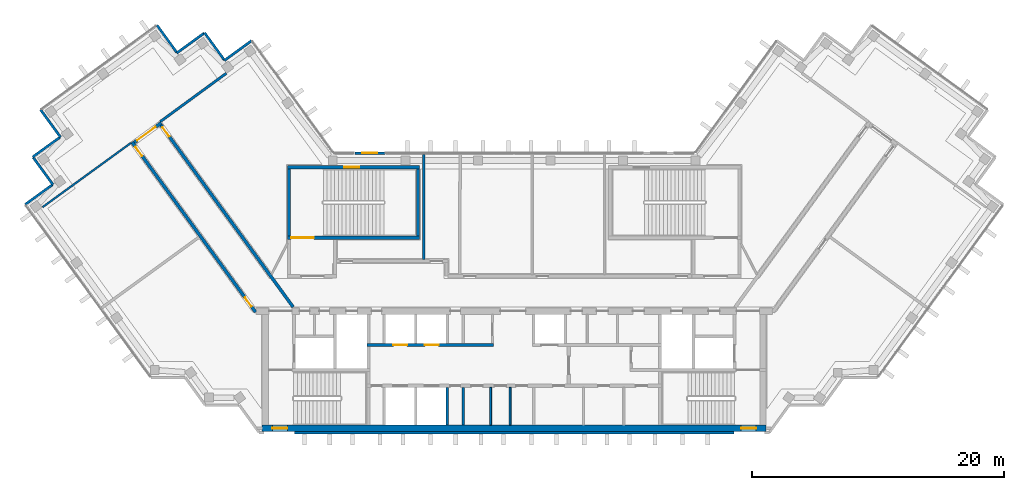
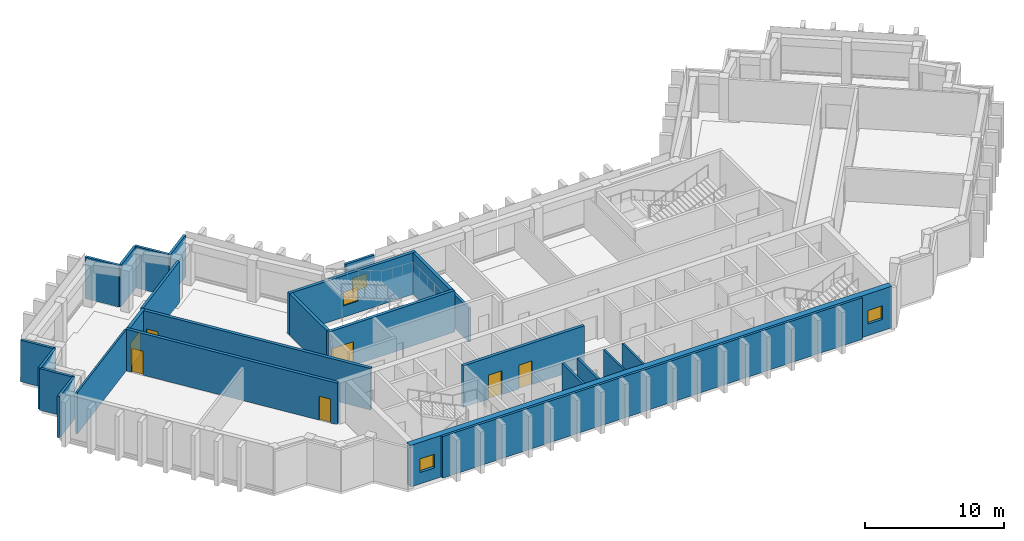
# One storey, part 4 of 9: 26 walls, 7 doors, 4 windows, 11 openings.
"""IFC4 building model written with IfcOpenShell, lengths in metres."""

from ifc_helpers import new_model, si_unit, direction, frame, frame_2d, origin, place, context, subcontext, project, spatial, rectangle, extrude, material, layer, layer_set, type_object, element, fill, save


model = new_model("IFC4")

# Units and contexts
model_context = context("Model", 3, precision=1e-05, world=origin(), true_north=direction((0.0, 1.0)))
body_context = subcontext(model_context, "Body", "Model", "MODEL_VIEW")
ifc_project = project(units=[si_unit("LENGTHUNIT", "METRE"), si_unit("AREAUNIT", "SQUARE_METRE"), si_unit("VOLUMEUNIT", "CUBIC_METRE"), si_unit("PLANEANGLEUNIT", "RADIAN"), si_unit("MASSUNIT", "GRAM", prefix="KILO")], contexts=[model_context])

# Site, building, storey
site_placement = place(None, origin())
site = spatial("IfcSite", under=ifc_project, at=site_placement, CompositionType="ELEMENT")
building_placement = place(site_placement, origin())
building = spatial("IfcBuilding", under=site, at=building_placement, Name="Quipu Civic Tower", CompositionType="ELEMENT")
storey_placement = place(building_placement, frame((0.0, 0.0, 331.0)))
storey = spatial("IfcBuildingStorey", under=building, at=storey_placement, Name="L77", CompositionType="ELEMENT", Elevation=331.0)

# Walls
ifc_material_1 = material(Name="Double gypsum plasterboard with mineral wool")
ifc_layer_1 = layer(ifc_material_1, 0.14990234375)
ifc_layer_set_1 = layer_set([ifc_layer_1], Name="Double gypsum plasterboard with mineral wool")
wall_type_1 = type_object("IfcWallType", Name="Acoustic partition 150 plasterboard", PredefinedType="PARTITIONING", material=ifc_layer_set_1)
wall_1_placement = place(storey_placement, frame((-37.42919921875, 6.805419921875, 0.0), z_axis=(0.0, 0.0, 1.0), x_axis=(0.809020922653, 0.587779845444, 0.0)))
element("IfcWall", 1, at=wall_1_placement, inside=storey, type_object=wall_type_1, Name="Partition P04", PredefinedType="PARTITIONING", context=body_context, shape_type="SweptSolid", body=[
    extrude(rectangle(XDim=8.670166015625, YDim=0.14990234375, at=frame_2d((4.3349609375, 0.0))), origin(), (0.0, 0.0, 1.0), 3.64990234375),
])
ifc_material_2 = material(Name="Fired clay blockwork", Category="masonry")
ifc_layer_2 = layer(ifc_material_2, 0.199951171875)
ifc_layer_set_2 = layer_set([ifc_layer_2], Name="Fired clay blockwork")
wall_type_2 = type_object("IfcWallType", Name="Blockwork wall 200", PredefinedType="SOLIDWALL", material=ifc_layer_set_2)
wall_2_placement = place(storey_placement, frame((-28.101318359375, 13.58251953125, 0.0), z_axis=(0.0, 0.0, 1.0), x_axis=(0.80699548015, 0.590557613631, 0.0)))
element("IfcWall", 2, at=wall_2_placement, inside=storey, type_object=wall_type_2, Name="Partition P03", PredefinedType="SOLIDWALL", context=body_context, shape_type="SweptSolid", body=[
    extrude(rectangle(XDim=6.515380859375, YDim=0.199951171875, at=frame_2d((3.2578125, 0.0))), origin(), (0.0, 0.0, 1.0), 3.64990234375),
])
wall_3_placement = place(storey_placement, frame((-7.177978515625, 11.0, 0.0), z_axis=(0.0, 0.0, 1.0), x_axis=(0.0, -1.0, 0.0)))
element("IfcWall", 3, at=wall_3_placement, inside=storey, type_object=wall_type_2, Name="Partition P08", PredefinedType="SOLIDWALL", context=body_context, shape_type="SweptSolid", body=[
    extrude(rectangle(XDim=8.35009765625, YDim=0.199951171875, at=frame_2d((4.175048828125, 0.0))), origin(), (0.0, 0.0, 1.0), 2.949951171875),
])

# Wall, openings, doors
ifc_material_3 = material(Name="Concrete C70/85", Category="concrete")
ifc_layer_3 = layer(ifc_material_3, 0.25)
ifc_layer_set_3 = layer_set([ifc_layer_3], Name="Concrete C70/85")
wall_type_3 = type_object("IfcWallType", Name="Core wall 250", PredefinedType="SHEAR", material=ifc_layer_set_3)
wall_4_placement = place(storey_placement, frame((-11.699951171875, -4.125, 0.0), z_axis=(0.0, 0.0, 1.0), x_axis=(1.0, 0.0, 0.0)))
wall_4 = element("IfcWall", 4, at=wall_4_placement, inside=storey, type_object=wall_type_3, Name="Core wall", PredefinedType="SHEAR", context=body_context, shape_type="SweptSolid", body=[
    extrude(rectangle(XDim=10.050048828125, YDim=0.25, at=frame_2d((5.02490234375, 0.0))), origin(), (0.0, 0.0, 1.0), 3.64990234375),
])
opening_1_placement = place(wall_4_placement, frame((2.10009765625, 0.0, 0.0)))
opening_1 = element("IfcOpeningElement", 5, at=opening_1_placement, cuts=wall_4, Name="Opening LD-HL3", PredefinedType="OPENING", context=body_context, shape_type="SweptSolid", body=[
    extrude(rectangle(XDim=1.10009765625, YDim=2.10009765625, at=frame_2d((0.550048828125, 1.050048828125))), frame((0.0, 0.135009765625, 0.0), z_axis=(0.0, -1.0, 0.0), x_axis=(1.0, 0.0, 0.0)), (0.0, 0.0, 1.0), 0.27001953125),
])
opening_2_placement = place(wall_4_placement, frame((4.60009765625, 0.0, 0.0)))
opening_2 = element("IfcOpeningElement", 6, at=opening_2_placement, cuts=wall_4, Name="Opening LD-HL4", PredefinedType="OPENING", context=body_context, shape_type="SweptSolid", body=[
    extrude(rectangle(XDim=1.10009765625, YDim=2.10009765625, at=frame_2d((0.550048828125, 1.050048828125))), frame((0.0, 0.135009765625, 0.0), z_axis=(0.0, -1.0, 0.0), x_axis=(1.0, 0.0, 0.0)), (0.0, 0.0, 1.0), 0.27001953125),
])
ifc_material_4 = material(Name="Stainless steel", Category="steel")
door_type_1 = type_object("IfcDoorType", Name="Lift landing door 1100 x 2100", OperationType="DOUBLE_DOOR_SLIDING", PredefinedType="DOOR", material=ifc_material_4)
door_1_placement = place(opening_1_placement, origin())
door_1 = element("IfcDoor", 7, at=door_1_placement, inside=storey, type_object=door_type_1, Name="Landing door HL3", OperationType="DOUBLE_DOOR_SLIDING", OverallHeight=2.10009765625, OverallWidth=1.10009765625, PredefinedType="DOOR", context=body_context, shape_type="SweptSolid", body=[
    extrude(rectangle(XDim=1.10009765625, YDim=2.10009765625, at=frame_2d((0.550048828125, 1.050048828125))), frame((0.0, 0.02490234375, 0.0), z_axis=(0.0, -1.0, 0.0), x_axis=(1.0, 0.0, 0.0)), (0.0, 0.0, 1.0), 0.050048828125),
])
fill(opening_1, door_1)
door_2_placement = place(opening_2_placement, origin())
door_2 = element("IfcDoor", 8, at=door_2_placement, inside=storey, type_object=door_type_1, Name="Landing door HL4", OperationType="DOUBLE_DOOR_SLIDING", OverallHeight=2.10009765625, OverallWidth=1.10009765625, PredefinedType="DOOR", context=body_context, shape_type="SweptSolid", body=[
    extrude(rectangle(XDim=1.10009765625, YDim=2.10009765625, at=frame_2d((0.550048828125, 1.050048828125))), frame((0.0, 0.02490234375, 0.0), z_axis=(0.0, -1.0, 0.0), x_axis=(1.0, 0.0, 0.0)), (0.0, 0.0, 1.0), 0.050048828125),
])
fill(opening_2, door_2)

# Wall, opening, door
wall_5_placement = place(storey_placement, frame((-18.0, 4.375, 0.0), z_axis=(0.0, 0.0, 1.0), x_axis=(1.0, 0.0, 0.0)))
wall_5 = element("IfcWall", 9, at=wall_5_placement, inside=storey, type_object=wall_type_3, Name="Core wall", PredefinedType="SHEAR", context=body_context, shape_type="SweptSolid", body=[
    extrude(rectangle(XDim=10.5, YDim=0.25, at=frame_2d((5.25, 0.0))), origin(), (0.0, 0.0, 1.0), 3.64990234375),
])
opening_3_placement = place(wall_5_placement, frame((0.300048828125, 0.0, 0.0)))
opening_3 = element("IfcOpeningElement", 10, at=opening_3_placement, cuts=wall_5, Name="Opening CD-28", PredefinedType="OPENING", context=body_context, shape_type="SweptSolid", body=[
    extrude(rectangle(XDim=1.800048828125, YDim=2.10009765625, at=frame_2d((0.89990234375, 1.050048828125))), frame((0.0, 0.135009765625, 0.0), z_axis=(0.0, -1.0, 0.0), x_axis=(1.0, 0.0, 0.0)), (0.0, 0.0, 1.0), 0.27001953125),
])
ifc_material_5 = material(Name="Fire rated steel door", Category="steel")
door_type_2 = type_object("IfcDoorType", Name="Fire door FD90 double 1800 x 2100", OperationType="NOTDEFINED", PredefinedType="DOOR", material=ifc_material_5)
door_3_placement = place(opening_3_placement, origin())
door_3 = element("IfcDoor", 11, at=door_3_placement, inside=storey, type_object=door_type_2, Name="Door", OperationType="DOUBLE_DOOR_SINGLE_SWING", OverallHeight=2.10009765625, OverallWidth=1.800048828125, PredefinedType="DOOR", context=body_context, shape_type="SweptSolid", body=[
    extrude(rectangle(XDim=1.800048828125, YDim=2.10009765625, at=frame_2d((0.89990234375, 1.050048828125))), frame((0.0, 0.02490234375, 0.0), z_axis=(0.0, -1.0, 0.0), x_axis=(1.0, 0.0, 0.0)), (0.0, 0.0, 1.0), 0.050048828125),
])
fill(opening_3, door_3)

# Walls
for number, where, z_axis, x_axis, name in (
    (12, (-17.875, 4.5, 0.0), (0.0, 0.0, 1.0), (0.0, 1.0, 0.0), "Core wall"),
    (13, (-7.625, 4.5, 0.0), (0.0, 0.0, 1.0), (0.0, 1.0, 0.0), "Core wall"),
):
    element("IfcWall", number, at=place(storey_placement, frame(where, z_axis=z_axis, x_axis=x_axis)), inside=storey, type_object=wall_type_3, Name=name, PredefinedType="SHEAR", context=body_context, shape_type="SweptSolid", body=[
        extrude(rectangle(XDim=5.35009765625, YDim=0.25, at=frame_2d((2.675048828125, 0.0))), origin(), (0.0, 0.0, 1.0), 3.64990234375),
    ])

# Wall, opening, window
wall_6_placement = place(storey_placement, frame((-18.0, 9.97509765625, 0.0), z_axis=(0.0, 0.0, 1.0), x_axis=(1.0, 0.0, 0.0)))
wall_6 = element("IfcWall", 14, at=wall_6_placement, inside=storey, type_object=wall_type_3, Name="Core wall", PredefinedType="SHEAR", context=body_context, shape_type="SweptSolid", body=[
    extrude(rectangle(XDim=10.5, YDim=0.25, at=frame_2d((5.25, 0.0))), origin(), (0.0, 0.0, 1.0), 3.64990234375),
])
opening_4_placement = place(wall_6_placement, frame((4.5, 0.0, 1.0)))
opening_4 = element("IfcOpeningElement", 15, at=opening_4_placement, cuts=wall_6, Name="Opening SV-3", PredefinedType="OPENING", context=body_context, shape_type="SweptSolid", body=[
    extrude(rectangle(XDim=1.199951171875, YDim=1.199951171875, at=frame_2d((0.60009765625, 0.60009765625))), frame((0.0, 0.135009765625, 0.0), z_axis=(0.0, -1.0, 0.0), x_axis=(1.0, 0.0, 0.0)), (0.0, 0.0, 1.0), 0.27001953125),
])
ifc_material_6 = material(Name="Aluminium louvre", Category="aluminium")
window_type_1 = type_object("IfcWindowType", Name="Stair ventilation louvre 1200 x 1200", PartitioningType="SINGLE_PANEL", PredefinedType="WINDOW", material=ifc_material_6)
window_1_placement = place(opening_4_placement, origin())
window_1 = element("IfcWindow", 16, at=window_1_placement, inside=storey, type_object=window_type_1, Name="Stair ventilation opening", OverallHeight=1.199951171875, OverallWidth=1.199951171875, PartitioningType="SINGLE_PANEL", PredefinedType="WINDOW", context=body_context, shape_type="SweptSolid", body=[
    extrude(rectangle(XDim=1.199951171875, YDim=1.199951171875, at=frame_2d((0.60009765625, 0.60009765625))), frame((0.0, 0.030029296875, 0.0), z_axis=(0.0, -1.0, 0.0), x_axis=(1.0, 0.0, 0.0)), (0.0, 0.0, 1.0), 0.06005859375),
])
fill(opening_4, window_1)

# Wall, openings, windows
ifc_material_7 = material(Name="Concrete C70/85", Category="concrete")
ifc_layer_4 = layer(ifc_material_7, 0.5)
ifc_layer_set_4 = layer_set([ifc_layer_4], Name="Concrete C70/85")
wall_type_4 = type_object("IfcWallType", Name="Core wall 500", PredefinedType="SHEAR", material=ifc_layer_set_4)
wall_7_placement = place(storey_placement, frame((-20.0, -10.75, 0.0), z_axis=(0.0, 0.0, 1.0), x_axis=(1.0, 0.0, 0.0)))
wall_7 = element("IfcWall", 17, at=wall_7_placement, inside=storey, type_object=wall_type_4, Name="Core wall", PredefinedType="SHEAR", context=body_context, shape_type="SweptSolid", body=[
    extrude(rectangle(XDim=40.0, YDim=0.5, at=frame_2d((20.0, 0.0))), origin(), (0.0, 0.0, 1.0), 3.64990234375),
])
opening_5_placement = place(wall_7_placement, frame((0.800048828125, 0.0, 1.0)))
opening_5 = element("IfcOpeningElement", 18, at=opening_5_placement, cuts=wall_7, Name="Opening SV-1", PredefinedType="OPENING", context=body_context, shape_type="SweptSolid", body=[
    extrude(rectangle(XDim=1.199951171875, YDim=1.199951171875, at=frame_2d((0.60009765625, 0.60009765625))), frame((0.0, 0.260009765625, 0.0), z_axis=(0.0, -1.0, 0.0), x_axis=(1.0, 0.0, 0.0)), (0.0, 0.0, 1.0), 0.52001953125),
])
opening_6_placement = place(wall_7_placement, frame((38.0, 0.0, 1.0)))
opening_6 = element("IfcOpeningElement", 19, at=opening_6_placement, cuts=wall_7, Name="Opening SV-2", PredefinedType="OPENING", context=body_context, shape_type="SweptSolid", body=[
    extrude(rectangle(XDim=1.199951171875, YDim=1.199951171875, at=frame_2d((0.60009765625, 0.60009765625))), frame((0.0, 0.260009765625, 0.0), z_axis=(0.0, -1.0, 0.0), x_axis=(1.0, 0.0, 0.0)), (0.0, 0.0, 1.0), 0.52001953125),
])
window_2_placement = place(opening_5_placement, origin())
window_2 = element("IfcWindow", 20, at=window_2_placement, inside=storey, type_object=window_type_1, Name="Stair ventilation opening", OverallHeight=1.199951171875, OverallWidth=1.199951171875, PartitioningType="SINGLE_PANEL", PredefinedType="WINDOW", context=body_context, shape_type="SweptSolid", body=[
    extrude(rectangle(XDim=1.199951171875, YDim=1.199951171875, at=frame_2d((0.60009765625, 0.60009765625))), frame((0.0, 0.030029296875, 0.0), z_axis=(0.0, -1.0, 0.0), x_axis=(1.0, 0.0, 0.0)), (0.0, 0.0, 1.0), 0.06005859375),
])
fill(opening_5, window_2)
window_3_placement = place(opening_6_placement, origin())
window_3 = element("IfcWindow", 21, at=window_3_placement, inside=storey, type_object=window_type_1, Name="Stair ventilation opening", OverallHeight=1.199951171875, OverallWidth=1.199951171875, PartitioningType="SINGLE_PANEL", PredefinedType="WINDOW", context=body_context, shape_type="SweptSolid", body=[
    extrude(rectangle(XDim=1.199951171875, YDim=1.199951171875, at=frame_2d((0.60009765625, 0.60009765625))), frame((0.0, 0.030029296875, 0.0), z_axis=(0.0, -1.0, 0.0), x_axis=(1.0, 0.0, 0.0)), (0.0, 0.0, 1.0), 0.06005859375),
])
fill(opening_6, window_3)

# Wall, openings, doors
ifc_material_8 = material(Name="Concrete C50/60", Category="concrete")
ifc_layer_5 = layer(ifc_material_8, 0.25)
ifc_layer_set_5 = layer_set([ifc_layer_5], Name="Concrete C50/60")
wall_type_5 = type_object("IfcWallType", Name="Corridor wall 250 concrete", PredefinedType="SOLIDWALL", material=ifc_layer_set_5)
wall_8_placement = place(storey_placement, frame((-20.531005859375, -1.5234375, 0.0), z_axis=(0.0, 0.0, 1.0), x_axis=(-0.587785867777, 0.809016547199, 0.0)))
wall_8 = element("IfcWall", 22, at=wall_8_placement, inside=storey, type_object=wall_type_5, Name="Corridor wall C04", PredefinedType="SOLIDWALL", context=body_context, shape_type="SweptSolid", body=[
    extrude(rectangle(XDim=16.67041015625, YDim=0.25, at=frame_2d((8.335205078125, 0.0))), origin(), (0.0, 0.0, 1.0), 3.64990234375),
])
opening_7_placement = place(wall_8_placement, frame((0.53271484375, 0.0, 0.0)))
opening_7 = element("IfcOpeningElement", 23, at=opening_7_placement, cuts=wall_8, Name="Opening D012", PredefinedType="OPENING", context=body_context, shape_type="SweptSolid", body=[
    extrude(rectangle(XDim=0.89990234375, YDim=2.10009765625, at=frame_2d((0.449951171875, 1.050048828125))), frame((0.0, 0.135009765625, 0.0), z_axis=(0.0, -1.0, 0.0), x_axis=(1.0, 0.0, 0.0)), (0.0, 0.0, 1.0), 0.27001953125),
])
opening_8_placement = place(wall_8_placement, frame((15.2958984375, 0.0, 0.0)))
opening_8 = element("IfcOpeningElement", 24, at=opening_8_placement, cuts=wall_8, Name="Opening D011", PredefinedType="OPENING", context=body_context, shape_type="SweptSolid", body=[
    extrude(rectangle(XDim=0.89990234375, YDim=2.10009765625, at=frame_2d((0.449951171875, 1.050048828125))), frame((0.0, 0.135009765625, 0.0), z_axis=(0.0, -1.0, 0.0), x_axis=(1.0, 0.0, 0.0)), (0.0, 0.0, 1.0), 0.27001953125),
])
ifc_material_9 = material(Name="Fire rated timber door set with metal frame", Category="wood")
door_type_3 = type_object("IfcDoorType", Name="Single door 900 x 2100 FD60", OperationType="NOTDEFINED", PredefinedType="DOOR", material=ifc_material_9)
door_4_placement = place(opening_7_placement, origin())
door_4 = element("IfcDoor", 25, at=door_4_placement, inside=storey, type_object=door_type_3, Name="Door D012", OperationType="SINGLE_SWING_LEFT", OverallHeight=2.10009765625, OverallWidth=0.89990234375, PredefinedType="DOOR", context=body_context, shape_type="SweptSolid", body=[
    extrude(rectangle(XDim=0.89990234375, YDim=2.10009765625, at=frame_2d((0.449951171875, 1.050048828125))), frame((0.0, 0.02490234375, 0.0), z_axis=(0.0, -1.0, 0.0), x_axis=(1.0, 0.0, 0.0)), (0.0, 0.0, 1.0), 0.050048828125),
])
fill(opening_7, door_4)
door_5_placement = place(opening_8_placement, origin())
door_5 = element("IfcDoor", 26, at=door_5_placement, inside=storey, type_object=door_type_3, Name="Door D011", OperationType="SINGLE_SWING_RIGHT", OverallHeight=2.10009765625, OverallWidth=0.89990234375, PredefinedType="DOOR", context=body_context, shape_type="SweptSolid", body=[
    extrude(rectangle(XDim=0.89990234375, YDim=2.10009765625, at=frame_2d((0.449951171875, 1.050048828125))), frame((0.0, 0.02490234375, 0.0), z_axis=(0.0, -1.0, 0.0), x_axis=(1.0, 0.0, 0.0)), (0.0, 0.0, 1.0), 0.050048828125),
])
fill(opening_8, door_5)

# Wall, opening, door
wall_9_placement = place(storey_placement, frame((-30.155029296875, 11.935546875, 0.0), z_axis=(0.0, 0.0, 1.0), x_axis=(0.809038743598, 0.587755315891, 0.0)))
wall_9 = element("IfcWall", 27, at=wall_9_placement, inside=storey, type_object=wall_type_5, Name="Corridor wall C05", PredefinedType="SOLIDWALL", context=body_context, shape_type="SweptSolid", body=[
    extrude(rectangle(XDim=2.650146484375, YDim=0.25, at=frame_2d((1.3251953125, 0.0))), origin(), (0.0, 0.0, 1.0), 3.64990234375),
])
opening_9_placement = place(wall_9_placement, frame((0.2998046875, 0.0, 0.0)))
opening_9 = element("IfcOpeningElement", 28, at=opening_9_placement, cuts=wall_9, Name="Opening D013", PredefinedType="OPENING", context=body_context, shape_type="SweptSolid", body=[
    extrude(rectangle(XDim=1.800048828125, YDim=2.10009765625, at=frame_2d((0.89990234375, 1.050048828125))), frame((0.0, 0.135009765625, 0.0), z_axis=(0.0, -1.0, 0.0), x_axis=(1.0, 0.0, 0.0)), (0.0, 0.0, 1.0), 0.27001953125),
])
ifc_material_10 = material(Name="Fire rated timber door set with metal frame", Category="wood")
door_type_4 = type_object("IfcDoorType", Name="Double door 1800 x 2100 FD60", OperationType="DOUBLE_DOOR_SINGLE_SWING", PredefinedType="DOOR", material=ifc_material_10)
door_6_placement = place(opening_9_placement, origin())
door_6 = element("IfcDoor", 29, at=door_6_placement, inside=storey, type_object=door_type_4, Name="Door D013", OperationType="DOUBLE_DOOR_SINGLE_SWING", OverallHeight=2.10009765625, OverallWidth=1.800048828125, PredefinedType="DOOR", context=body_context, shape_type="SweptSolid", body=[
    extrude(rectangle(XDim=1.800048828125, YDim=2.10009765625, at=frame_2d((0.89990234375, 1.050048828125))), frame((0.0, 0.02490234375, 0.0), z_axis=(0.0, -1.0, 0.0), x_axis=(1.0, 0.0, 0.0)), (0.0, 0.0, 1.0), 0.050048828125),
])
fill(opening_9, door_6)

wall_10_placement = place(storey_placement, frame((-28.038818359375, 13.318603515625, 0.0), z_axis=(0.0, 0.0, 1.0), x_axis=(0.587791911753, -0.809012155952, 0.0)))
wall_10 = element("IfcWall", 30, at=wall_10_placement, inside=storey, type_object=wall_type_5, Name="Corridor wall C06", PredefinedType="SOLIDWALL", context=body_context, shape_type="SweptSolid", body=[
    extrude(rectangle(XDim=17.85302734375, YDim=0.25, at=frame_2d((8.926513671875, 0.0))), origin(), (0.0, 0.0, 1.0), 3.64990234375),
])
opening_10_placement = place(wall_10_placement, frame((0.224853515625, 0.0, 0.0)))
opening_10 = element("IfcOpeningElement", 31, at=opening_10_placement, cuts=wall_10, Name="Opening D010", PredefinedType="OPENING", context=body_context, shape_type="SweptSolid", body=[
    extrude(rectangle(XDim=0.89990234375, YDim=2.10009765625, at=frame_2d((0.449951171875, 1.050048828125))), frame((0.0, 0.135009765625, 0.0), z_axis=(0.0, -1.0, 0.0), x_axis=(1.0, 0.0, 0.0)), (0.0, 0.0, 1.0), 0.27001953125),
])
door_7_placement = place(opening_10_placement, origin())
door_7 = element("IfcDoor", 32, at=door_7_placement, inside=storey, type_object=door_type_3, Name="Door D010", OperationType="SINGLE_SWING_LEFT", OverallHeight=2.10009765625, OverallWidth=0.89990234375, PredefinedType="DOOR", context=body_context, shape_type="SweptSolid", body=[
    extrude(rectangle(XDim=0.89990234375, YDim=2.10009765625, at=frame_2d((0.449951171875, 1.050048828125))), frame((0.0, 0.02490234375, 0.0), z_axis=(0.0, -1.0, 0.0), x_axis=(1.0, 0.0, 0.0)), (0.0, 0.0, 1.0), 0.050048828125),
])
fill(opening_10, door_7)

# Walls
ifc_material_11 = material(Name="Gypsum board partition")
ifc_layer_6 = layer(ifc_material_11, 0.14990234375)
ifc_layer_set_6 = layer_set([ifc_layer_6], Name="Gypsum board partition")
wall_type_6 = type_object("IfcWallType", Name="Partition 150", PredefinedType="PARTITIONING", material=ifc_layer_set_6)
for number, where, z_axis, x_axis, name in (
    (33, (-1.875, -10.5, 0.0), (0.0, 0.0, 1.0), (0.0, 1.0, 0.0), "Partition"),
    (34, (-0.324951171875, -10.5, 0.0), (0.0, 0.0, 1.0), (0.0, 1.0, 0.0), "Partition"),
):
    element("IfcWall", number, at=place(storey_placement, frame(where, z_axis=z_axis, x_axis=x_axis)), inside=storey, type_object=wall_type_6, Name=name, PredefinedType="PARTITIONING", context=body_context, shape_type="SweptSolid", body=[
        extrude(rectangle(XDim=3.0, YDim=0.14990234375, at=frame_2d((1.5, 0.0))), origin(), (0.0, 0.0, 1.0), 3.64990234375),
    ])
ifc_material_12 = material(Name="Precast concrete C40/50", Category="concrete")
wall_type_7 = type_object("IfcWallType", Name="Precast cladding wall", PredefinedType="SOLIDWALL", material=ifc_material_12)
for number, where, z_axis, x_axis, name in (
    (35, (-20.828857421875, 20.025390625, 0.0), (0.0, 0.0, 1.0), (-0.808990163075, -0.587822180636, 0.0), "Precast cladding wall L77 2"),
    (36, (-22.996337890625, 18.465576171875, 0.0), (0.0, 0.0, 1.0), (-0.587762999008, 0.809033161865, 0.0), "Precast cladding wall L77 3"),
):
    element("IfcWall", number, at=place(storey_placement, frame(where, z_axis=z_axis, x_axis=x_axis)), inside=storey, type_object=wall_type_7, Name=name, PredefinedType="SOLIDWALL", context=body_context, shape_type="SweptSolid", body=[
        extrude(rectangle(XDim=2.699951171875, YDim=0.199951171875, at=frame_2d((1.35009765625, 0.0))), origin(), (0.0, 0.0, 1.0), 3.64990234375),
    ])
for number, where, z_axis, x_axis, name in (
    (37, (-24.60009765625, 20.62255859375, 0.0), (0.0, 0.0, 1.0), (-0.809064397168, -0.587720002413, 0.0), "Precast cladding wall L77 4"),
    (38, (-26.767578125, 19.062744140625, 0.0), (0.0, 0.0, 1.0), (-0.587720002413, 0.809064397168, 0.0), "Precast cladding wall L77 5"),
):
    element("IfcWall", number, at=place(storey_placement, frame(where, z_axis=z_axis, x_axis=x_axis)), inside=storey, type_object=wall_type_7, Name=name, PredefinedType="SOLIDWALL", context=body_context, shape_type="SweptSolid", body=[
        extrude(rectangle(XDim=2.7001953125, YDim=0.199951171875, at=frame_2d((1.35009765625, 0.0))), origin(), (0.0, 0.0, 1.0), 3.64990234375),
    ])
for number, where, z_axis, x_axis, name in (
    (39, (-37.591796875, 14.535888671875, 0.0), (0.0, 0.0, 1.0), (0.587762999008, -0.809033161865, 0.0), "Precast cladding wall L77 7"),
    (40, (-36.031982421875, 12.36865234375, 0.0), (0.0, 0.0, 1.0), (-0.809033161865, -0.587762999008, 0.0), "Precast cladding wall L77 8"),
    (41, (-38.189208984375, 10.7646484375, 0.0), (0.0, 0.0, 1.0), (0.587822180636, -0.808990163075, 0.0), "Precast cladding wall L77 9"),
    (42, (-36.62939453125, 8.597412109375, 0.0), (0.0, 0.0, 1.0), (-0.809033161865, -0.587762999008, 0.0), "Precast cladding wall L77 10"),
):
    element("IfcWall", number, at=place(storey_placement, frame(where, z_axis=z_axis, x_axis=x_axis)), inside=storey, type_object=wall_type_7, Name=name, PredefinedType="SOLIDWALL", context=body_context, shape_type="SweptSolid", body=[
        extrude(rectangle(XDim=2.699951171875, YDim=0.199951171875, at=frame_2d((1.35009765625, 0.0))), origin(), (0.0, 0.0, 1.0), 3.64990234375),
    ])
wall_11_placement = place(storey_placement, frame((-17.44384765625, -11.087890625, 0.0), z_axis=(0.0, 0.0, 1.0), x_axis=(1.0, 0.0, 0.0)))
element("IfcWall", 43, at=wall_11_placement, inside=storey, type_object=wall_type_7, Name="Precast cladding wall L77 17", PredefinedType="SOLIDWALL", context=body_context, shape_type="SweptSolid", body=[
    extrude(rectangle(XDim=34.8876953125, YDim=0.199951171875, at=frame_2d((17.44384765625, 0.0))), origin(), (0.0, 0.0, 1.0), 3.64990234375),
])

# Wall, opening, window
wall_12_placement = place(storey_placement, frame((-10.263427734375, 11.10009765625, 0.0), z_axis=(0.0, 0.0, 1.0), x_axis=(-1.0, 0.0, 0.0)))
wall_12 = element("IfcWall", 44, at=wall_12_placement, inside=storey, type_object=wall_type_7, Name="Vent surround SF-L77-1", PredefinedType="SOLIDWALL", context=body_context, shape_type="SweptSolid", body=[
    extrude(rectangle(XDim=2.3916015625, YDim=0.199951171875, at=frame_2d((1.19580078125, 0.0))), origin(), (0.0, 0.0, 1.0), 3.64990234375),
])
opening_11_placement = place(wall_12_placement, frame((0.595703125, 0.0, 1.0)))
opening_11 = element("IfcOpeningElement", 45, at=opening_11_placement, cuts=wall_12, Name="Opening SF-L77-1", PredefinedType="OPENING", context=body_context, shape_type="SweptSolid", body=[
    extrude(rectangle(XDim=1.199951171875, YDim=1.199951171875, at=frame_2d((0.60009765625, 0.60009765625))), frame((0.0, 0.10986328125, 0.0), z_axis=(0.0, -1.0, 0.0), x_axis=(1.0, 0.0, 0.0)), (0.0, 0.0, 1.0), 0.219970703125),
])
ifc_material_13 = material(Name="Anodised aluminium louvre", Category="aluminium")
window_type_2 = type_object("IfcWindowType", Name="Stair vent louvre window P3", PartitioningType="SINGLE_PANEL", PredefinedType="WINDOW", material=ifc_material_13)
window_4_placement = place(opening_11_placement, origin())
window_4 = element("IfcWindow", 46, at=window_4_placement, inside=storey, type_object=window_type_2, Name="Stair vent louvre SF-L77-1", OverallHeight=1.199951171875, OverallWidth=1.199951171875, PartitioningType="SINGLE_PANEL", PredefinedType="WINDOW", context=body_context, shape_type="SweptSolid", body=[
    extrude(rectangle(XDim=1.199951171875, YDim=1.199951171875, at=frame_2d((0.60009765625, 0.60009765625))), frame((0.0, 0.030029296875, 0.0), z_axis=(0.0, -1.0, 0.0), x_axis=(1.0, 0.0, 0.0)), (0.0, 0.0, 1.0), 0.06005859375),
])
fill(opening_11, window_4)

# Walls
ifc_material_14 = material(Name="Concrete C40/50", Category="concrete")
ifc_layer_7 = layer(ifc_material_14, 0.199951171875)
ifc_layer_set_7 = layer_set([ifc_layer_7], Name="Concrete C40/50")
wall_type_8 = type_object("IfcWallType", Name="Shaft wall 200", PredefinedType="SOLIDWALL", material=ifc_layer_set_7)
for number, where, z_axis, x_axis, name in (
    (47, (-5.300048828125, -10.5, 0.0), (0.0, 0.0, 1.0), (0.0, 1.0, 0.0), "Shaft wall"),
    (48, (-4.050048828125, -10.5, 0.0), (0.0, 0.0, 1.0), (0.0, 1.0, 0.0), "Shaft wall"),
):
    element("IfcWall", number, at=place(storey_placement, frame(where, z_axis=z_axis, x_axis=x_axis)), inside=storey, type_object=wall_type_8, Name=name, PredefinedType="SOLIDWALL", context=body_context, shape_type="SweptSolid", body=[
        extrude(rectangle(XDim=3.0, YDim=0.199951171875, at=frame_2d((1.5, 0.0))), origin(), (0.0, 0.0, 1.0), 3.64990234375),
    ])

save(model, "model.ifc")
